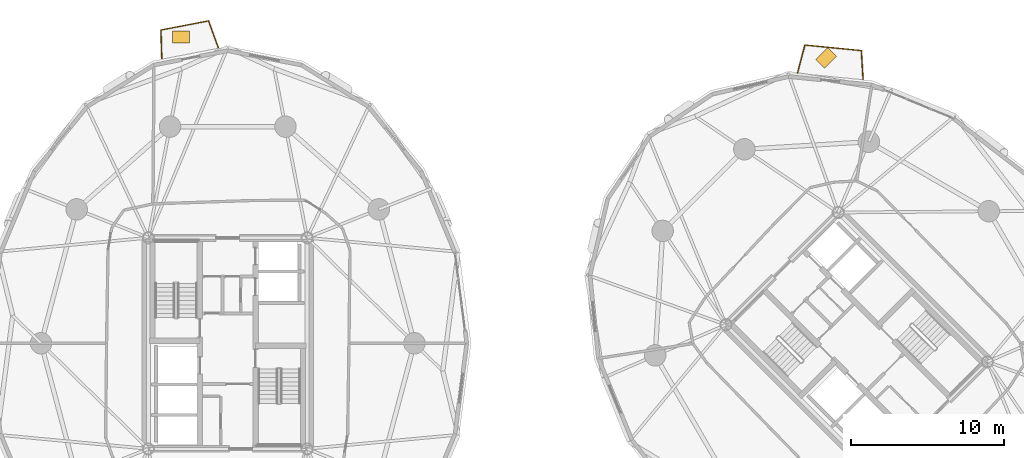
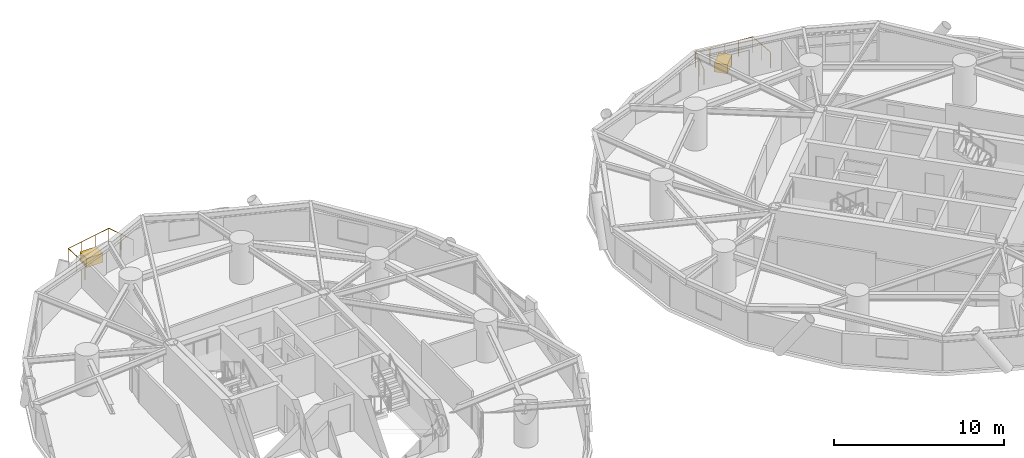
# One storey, part 17 of 17: 2 coverings, 2 railings.
"""IFC4 building model written with IfcOpenShell, lengths in metres."""

from ifc_helpers import new_model, si_unit, direction, frame, origin, origin_2d, place, context, subcontext, project, spatial, rectangle, circle, extrude, source, transform, mapped, material, layer, layer_set, type_object, element, save


model = new_model("IFC4")

# Units and contexts
model_context = context("Model", 3, precision=1e-05, world=origin(), true_north=direction((0.0, 1.0)))
body_context = subcontext(model_context, "Body", "Model", "MODEL_VIEW")
ifc_project = project(units=[si_unit("LENGTHUNIT", "METRE"), si_unit("AREAUNIT", "SQUARE_METRE"), si_unit("VOLUMEUNIT", "CUBIC_METRE"), si_unit("PLANEANGLEUNIT", "RADIAN"), si_unit("MASSUNIT", "GRAM", prefix="KILO")], contexts=[model_context])

# Site, building, storey
site_placement = place(None, origin())
site = spatial("IfcSite", under=ifc_project, at=site_placement, CompositionType="ELEMENT")
building_placement = place(site_placement, origin())
building = spatial("IfcBuilding", under=site, at=building_placement, Name="Cununo Teusaquillo Station Towers", CompositionType="ELEMENT")
storey_placement = place(building_placement, frame((0.0, 0.0, 70.14990234375)))
storey = spatial("IfcBuildingStorey", under=building, at=storey_placement, Name="L21", CompositionType="ELEMENT", Elevation=70.14990234375)

# Railings
ifc_material_1 = material(Name="Anodised dark bronze aluminium EN AW-6063-T6", Category="aluminium")
railing_type = type_object("IfcRailingType", Name="RL-EXT-GUARD", PredefinedType="GUARDRAIL", material=ifc_material_1)
railing_1_placement = place(storey_placement, frame((12.20166015625, 43.060546875, 0.0)))
element("IfcRailing", 1, at=railing_1_placement, inside=storey, type_object=railing_type, Name="L21 Tower A Balcony Guardrail C05", PredefinedType="GUARDRAIL", context=body_context, shape_type="SweptSolid", body=[
    extrude(circle(Radius=0.02392578125, at=origin_2d()), frame((0.0, 0.0, 1.1259765625), z_axis=(-0.030662031384, 0.999529809376, 0.0), x_axis=(-0.999529809376, -0.030662031384, 0.0)), (0.0, 0.0, 1.0), 1.86328125),
    extrude(circle(Radius=0.02392578125, at=origin_2d()), frame((-0.05712890625, 1.8623046875, 1.1259765625), z_axis=(0.981834317938, 0.189740275429, 0.0), x_axis=(-0.189740275429, 0.981834317938, 0.0)), (0.0, 0.0, 1.0), 3.15380859375),
    extrude(circle(Radius=0.02392578125, at=origin_2d()), frame((3.039306640625, 2.460693359375, 1.1259765625), z_axis=(0.343962021681, -0.9389835609, 0.0), x_axis=(0.9389835609, 0.343962021681, 0.0)), (0.0, 0.0, 1.0), 1.86328125),
    extrude(circle(Radius=0.02099609375, at=origin_2d()), origin(), (0.0, 0.0, 1.0), 1.101806640625),
    extrude(circle(Radius=0.02099609375, at=origin_2d()), frame((-0.028564453125, 0.93115234375, 0.0)), (0.0, 0.0, 1.0), 1.101806640625),
    extrude(circle(Radius=0.02099609375, at=origin_2d()), frame((-0.05712890625, 1.8623046875, 0.0)), (0.0, 0.0, 1.0), 1.101806640625),
    extrude(circle(Radius=0.02099609375, at=origin_2d()), frame((0.97509765625, 2.061767578125, 0.0)), (0.0, 0.0, 1.0), 1.101806640625),
    extrude(circle(Radius=0.02099609375, at=origin_2d()), frame((2.007080078125, 2.26123046875, 0.0)), (0.0, 0.0, 1.0), 1.101806640625),
    extrude(circle(Radius=0.02099609375, at=origin_2d()), frame((3.039306640625, 2.460693359375, 0.0)), (0.0, 0.0, 1.0), 1.101806640625),
    extrude(circle(Radius=0.02099609375, at=origin_2d()), frame((3.35986328125, 1.5859375, 0.0)), (0.0, 0.0, 1.0), 1.101806640625),
    extrude(circle(Radius=0.02099609375, at=origin_2d()), frame((3.68017578125, 0.711181640625, 0.0)), (0.0, 0.0, 1.0), 1.101806640625),
])
railing_2_placement = place(storey_placement, frame((53.64697265625, 42.13671875, 0.0)))
element("IfcRailing", 2, at=railing_2_placement, inside=storey, type_object=railing_type, Name="L21 Tower B Balcony Guardrail C02", PredefinedType="GUARDRAIL", context=body_context, shape_type="SweptSolid", body=[
    extrude(circle(Radius=0.02392578125, at=origin_2d()), frame((0.0, 0.0, 1.1259765625), z_axis=(0.255835186295, 0.966720413281, 0.0), x_axis=(-0.966720413281, 0.255835186295, 0.0)), (0.0, 0.0, 1.0), 1.871337890625),
    extrude(circle(Radius=0.02392578125, at=origin_2d()), frame((0.478759765625, 1.80908203125, 1.1259765625), z_axis=(0.99512777892, -0.098593628704, 0.0), x_axis=(0.098593628704, 0.99512777892, 0.0)), (0.0, 0.0, 1.0), 3.692138671875),
    extrude(circle(Radius=0.02392578125, at=origin_2d()), frame((4.15283203125, 1.445068359375, 1.1259765625), z_axis=(0.061184331575, -0.998126483753, 0.0), x_axis=(0.998126483753, 0.061184331575, 0.0)), (0.0, 0.0, 1.0), 1.871337890625),
    extrude(circle(Radius=0.02099609375, at=origin_2d()), origin(), (0.0, 0.0, 1.0), 1.101806640625),
    extrude(circle(Radius=0.02099609375, at=origin_2d()), frame((0.2392578125, 0.904541015625, 0.0)), (0.0, 0.0, 1.0), 1.101806640625),
    extrude(circle(Radius=0.02099609375, at=origin_2d()), frame((0.478759765625, 1.80908203125, 0.0)), (0.0, 0.0, 1.0), 1.101806640625),
    extrude(circle(Radius=0.02099609375, at=origin_2d()), frame((1.397216796875, 1.718017578125, 0.0)), (0.0, 0.0, 1.0), 1.101806640625),
    extrude(circle(Radius=0.02099609375, at=origin_2d()), frame((2.31591796875, 1.626953125, 0.0)), (0.0, 0.0, 1.0), 1.101806640625),
    extrude(circle(Radius=0.02099609375, at=origin_2d()), frame((3.234375, 1.5361328125, 0.0)), (0.0, 0.0, 1.0), 1.101806640625),
    extrude(circle(Radius=0.02099609375, at=origin_2d()), frame((4.15283203125, 1.445068359375, 0.0)), (0.0, 0.0, 1.0), 1.101806640625),
    extrude(circle(Radius=0.02099609375, at=origin_2d()), frame((4.2099609375, 0.51123046875, 0.0)), (0.0, 0.0, 1.0), 1.101806640625),
    extrude(circle(Radius=0.02099609375, at=origin_2d()), frame((4.267333984375, -0.4228515625, 0.0)), (0.0, 0.0, 1.0), 1.101806640625),
])

# Coverings
ifc_material_2 = material(Name="Architectural GRC planter shell and engineered root-zone substrate", Category="concrete")
ifc_layer = layer(ifc_material_2, 0.64990234375)
ifc_layer_set = layer_set([ifc_layer], Name="Architectural GRC planter shell and engineered root-zone substrate")
covering_type = type_object("IfcCoveringType", Name="COV-TREE-PLANTER", PredefinedType="CLADDING", material=ifc_layer_set)
shared_shape = source(origin(), body_context, "Body", "SweptSolid", [
    extrude(rectangle(XDim=1.10009765625, YDim=0.800048828125, at=origin_2d()), origin(), (0.0, 0.0, 1.0), 0.64990234375),
])
for number, where, z_axis, x_axis, name in (
    (3, (13.4462890625, 44.468505859375, 0.000244140625), (0.0, 0.0, 1.0), (1.0, 0.0, 0.0), "L21 Tower A Balcony Tree PLANTER C05"),
    (4, (55.510986328125, 43.107666015625, 0.000244140625), (0.0, 0.0, 1.0), (0.707106781187, 0.707106781187, 0.0), "L21 Tower B Balcony Tree PLANTER C02"),
):
    element("IfcCovering", number, at=place(storey_placement, frame(where, z_axis=z_axis, x_axis=x_axis)), inside=storey, type_object=covering_type, Name=name, PredefinedType="CLADDING", context=body_context, shape_type="MappedRepresentation", body=[
        mapped(shared_shape, transform((0.0, 0.0, 0.0), x_axis=(1.0, 0.0, 0.0), y_axis=(0.0, 1.0, 0.0), z_axis=(0.0, 0.0, 1.0), scale=1.0)),
    ])

save(model, "model.ifc")
